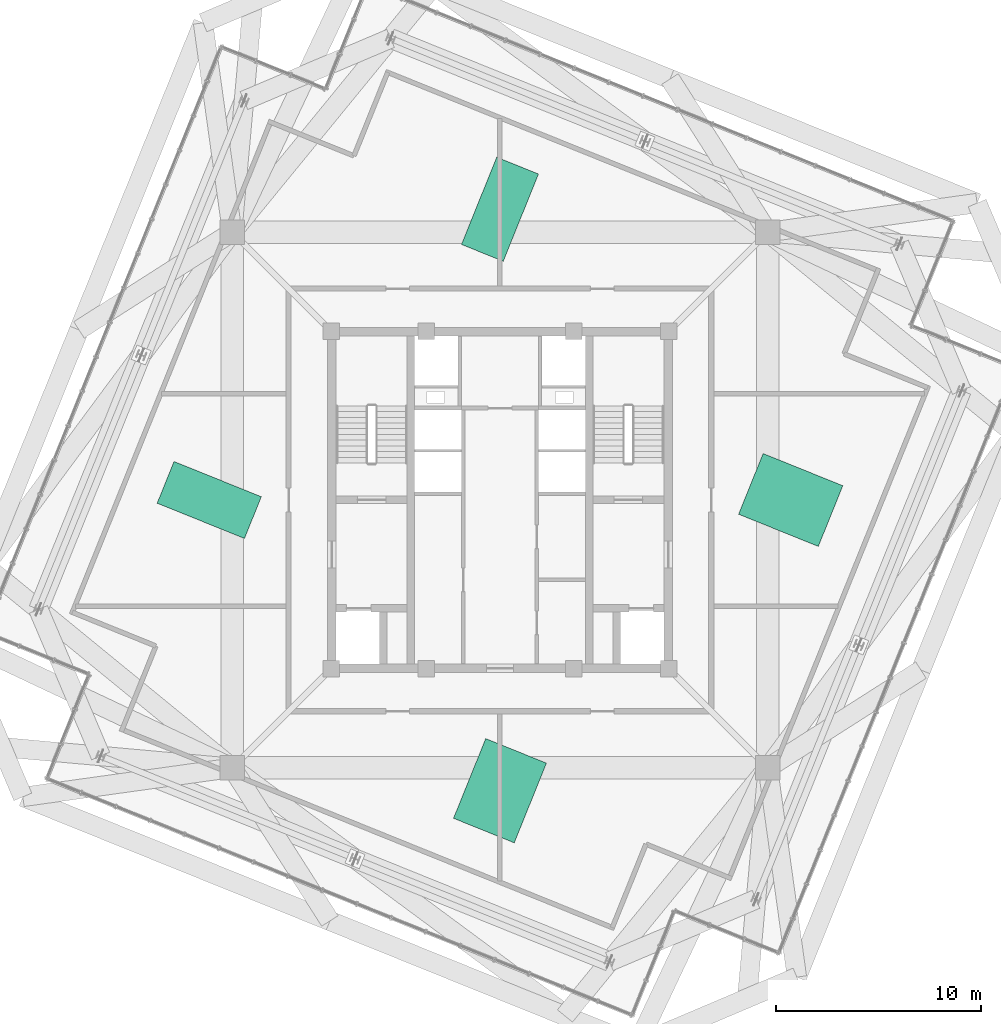
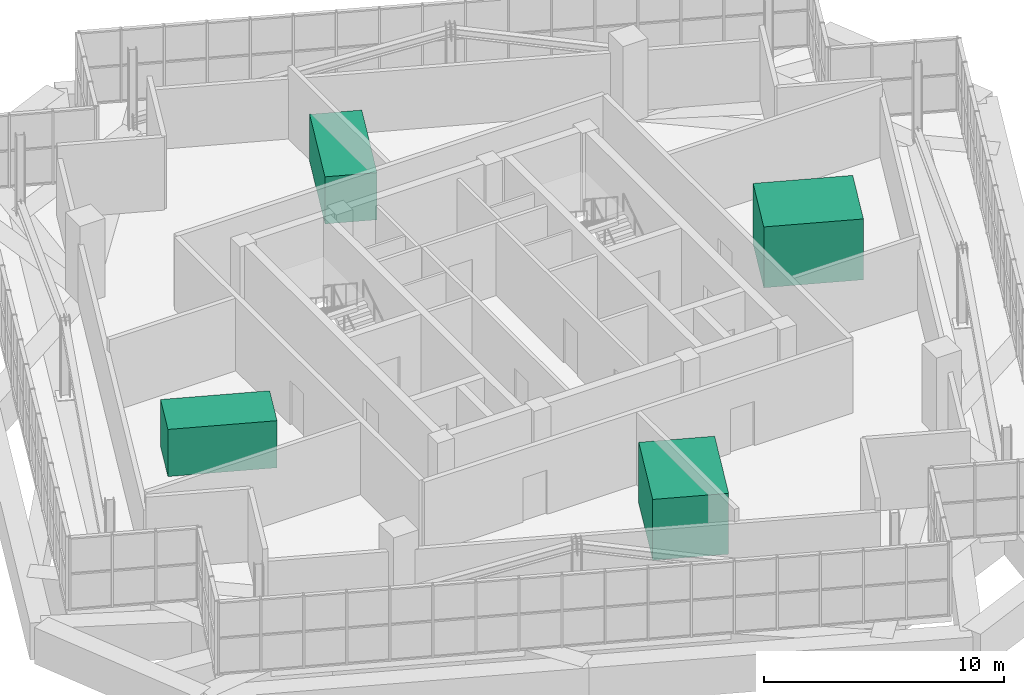
# One storey, part 35 of 35: 4 unitary equipment elements.
"""IFC4 building model written with IfcOpenShell, lengths in metres."""

from ifc_helpers import new_model, si_unit, direction, frame, origin, origin_2d, place, context, subcontext, project, spatial, rectangle, extrude, source, transform, mapped, material, type_object, element, save


model = new_model("IFC4")

# Units and contexts
model_context = context("Model", 3, precision=1e-05, world=origin(), true_north=direction((0.0, 1.0)))
body_context = subcontext(model_context, "Body", "Model", "MODEL_VIEW")
ifc_project = project(units=[si_unit("LENGTHUNIT", "METRE"), si_unit("AREAUNIT", "SQUARE_METRE"), si_unit("VOLUMEUNIT", "CUBIC_METRE"), si_unit("PLANEANGLEUNIT", "RADIAN"), si_unit("MASSUNIT", "GRAM", prefix="KILO"), si_unit("THERMODYNAMICTEMPERATUREUNIT", "KELVIN")], contexts=[model_context])

# Site, building, storey
site_placement = place(None, origin())
site = spatial("IfcSite", under=ifc_project, at=site_placement, CompositionType="ELEMENT")
building_placement = place(site_placement, origin())
building = spatial("IfcBuilding", under=site, at=building_placement, Name="Kosmvard Interchange Tower", CompositionType="ELEMENT")
storey_placement = place(building_placement, frame((0.0, 0.0, 321.60009765625)))
storey = spatial("IfcBuildingStorey", under=building, at=storey_placement, Name="L79", CompositionType="ELEMENT", Elevation=321.60009765625)

# Unitary equipment
ifc_material = material(Name="Steel S355", Category="steel")
unitary_equipment_type_1 = type_object("IfcUnitaryEquipmentType", Name="Modular Induced-Draft Cooling Tower Unit", PredefinedType="USERDEFINED", material=ifc_material)
shared_shape_1 = source(origin(), body_context, "Body", "SweptSolid", [
    extrude(rectangle(XDim=4.199951171875, YDim=3.199951171875, at=origin_2d()), origin(), (0.0, 0.0, 1.0), 3.10009765625),
])
unitary_equipment_1_placement = place(storey_placement, frame((0.0, -14.199951171875, -0.000244140625), z_axis=(0.0, 0.0, 1.0), x_axis=(0.374606593416, 0.927183854567, 0.0)))
element("IfcUnitaryEquipment", 1, at=unitary_equipment_1_placement, inside=storey, type_object=unitary_equipment_type_1, Name="L79 Crown Mechanical Plant Unit CT1", ObjectType="COOLING_TOWER", PredefinedType="USERDEFINED", context=body_context, shape_type="MappedRepresentation", body=[
    mapped(shared_shape_1, transform((0.0, 0.0, 0.0), scale=1.0)),
])
shared_shape_2 = source(origin(), body_context, "Body", "SweptSolid", [
    extrude(rectangle(XDim=3.199951171875, YDim=4.199951171875, at=origin_2d()), origin(), (0.0, 0.0, 1.0), 3.10009765625),
])
unitary_equipment_2_placement = place(storey_placement, frame((14.199951171875, 0.0, -0.000244140625), z_axis=(0.0, 0.0, 1.0), x_axis=(0.374606593416, 0.927183854567, 0.0)))
element("IfcUnitaryEquipment", 2, at=unitary_equipment_2_placement, inside=storey, type_object=unitary_equipment_type_1, Name="L79 Crown Mechanical Plant Unit CT2", ObjectType="COOLING_TOWER", PredefinedType="USERDEFINED", context=body_context, shape_type="MappedRepresentation", body=[
    mapped(shared_shape_2, transform((0.0, 0.0, 0.0), scale=1.0)),
])
unitary_equipment_type_2 = type_object("IfcUnitaryEquipmentType", Name="Centrifugal Water-Cooled Chiller & Heat Recovery Unit", PredefinedType="USERDEFINED", material=ifc_material)
shared_shape_3 = source(origin(), body_context, "Body", "SweptSolid", [
    extrude(rectangle(XDim=4.60009765625, YDim=2.199951171875, at=origin_2d()), origin(), (0.0, 0.0, 1.0), 2.39990234375),
])
unitary_equipment_3_placement = place(storey_placement, frame((0.0, 14.199951171875, 0.0), z_axis=(0.0, 0.0, 1.0), x_axis=(0.374606593416, 0.927183854567, 0.0)))
element("IfcUnitaryEquipment", 3, at=unitary_equipment_3_placement, inside=storey, type_object=unitary_equipment_type_2, Name="L79 Crown Mechanical Plant Unit CH1", ObjectType="CHILLER", PredefinedType="USERDEFINED", context=body_context, shape_type="MappedRepresentation", body=[
    mapped(shared_shape_3, transform((0.0, 0.0, 0.0), scale=1.0)),
])
shared_shape_4 = source(origin(), body_context, "Body", "SweptSolid", [
    extrude(rectangle(XDim=2.199951171875, YDim=4.60009765625, at=origin_2d()), origin(), (0.0, 0.0, 1.0), 2.39990234375),
])
unitary_equipment_4_placement = place(storey_placement, frame((-14.199951171875, 0.0, 0.0), z_axis=(0.0, 0.0, 1.0), x_axis=(0.374606593416, 0.927183854567, 0.0)))
element("IfcUnitaryEquipment", 4, at=unitary_equipment_4_placement, inside=storey, type_object=unitary_equipment_type_2, Name="L79 Crown Mechanical Plant Unit CH2", ObjectType="CHILLER", PredefinedType="USERDEFINED", context=body_context, shape_type="MappedRepresentation", body=[
    mapped(shared_shape_4, transform((0.0, 0.0, 0.0), scale=1.0)),
])

save(model, "model.ifc")
